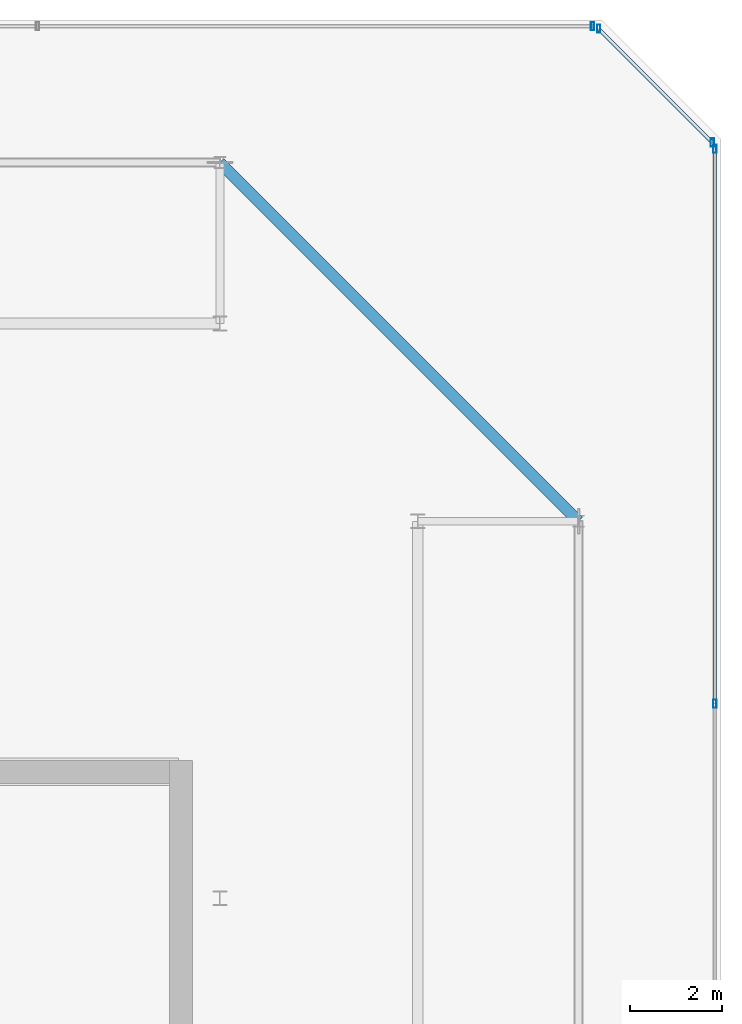
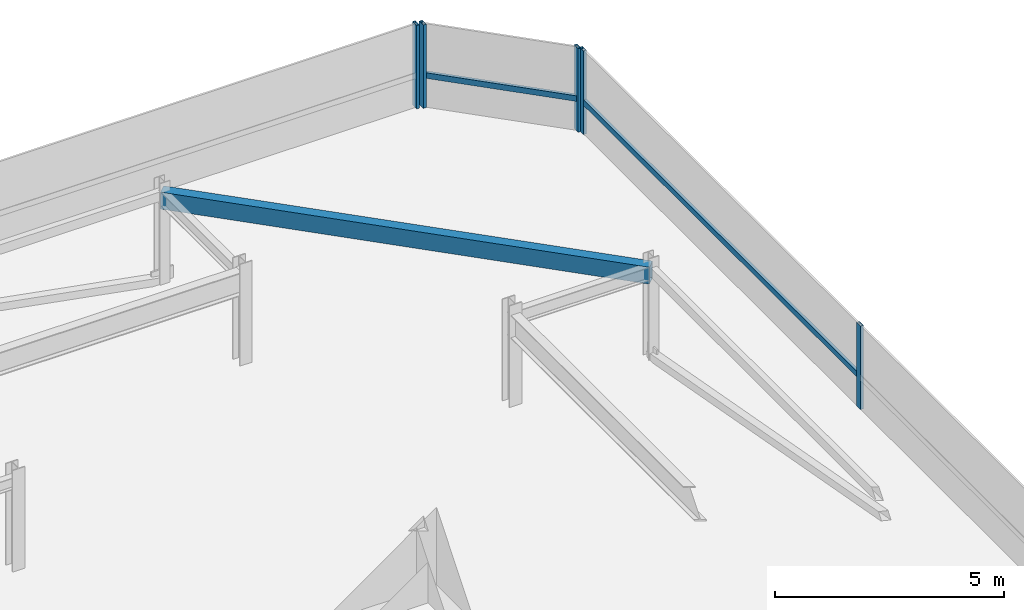
# One storey, part 38 of 44: 7 members, 1 beam, 3 elements without a shape of their own.
"""IFC4 building model written with IfcOpenShell, lengths in metres."""

from ifc_helpers import new_model, si_unit, direction, frame, origin, origin_2d, place, context, subcontext, project, spatial, hollow_rectangle, extrude, material, material_profile, profile_set, type_object, element, aggregate, save


model = new_model("IFC4")

# Units and contexts
model_context = context("Model", 3, precision=1e-05, world=origin(), true_north=direction((0.0, 1.0)))
body_context = subcontext(model_context, "Body", "Model", "MODEL_VIEW")
ifc_project = project(units=[si_unit("LENGTHUNIT", "METRE"), si_unit("AREAUNIT", "SQUARE_METRE"), si_unit("VOLUMEUNIT", "CUBIC_METRE"), si_unit("PLANEANGLEUNIT", "RADIAN"), si_unit("MASSUNIT", "GRAM", prefix="KILO")], contexts=[model_context])

# Site, building, storey
site_placement = place(None, origin())
site = spatial("IfcSite", under=ifc_project, at=site_placement, CompositionType="ELEMENT")
building_placement = place(site_placement, origin())
building = spatial("IfcBuilding", under=site, at=building_placement, Name="Thornwick Lancets Civic Towers", CompositionType="ELEMENT")
storey_placement = place(building_placement, frame((0.0, 0.0, 292.199951171875)))
storey = spatial("IfcBuildingStorey", under=building, at=storey_placement, Name="C05", CompositionType="ELEMENT", Elevation=292.199951171875)

# Beam
ifc_material_1 = material(Name="Steel S355JR", Category="steel")
ifc_material_profile_1 = material_profile(ifc_material_1, hollow_rectangle(XDim=0.25, YDim=0.449951171875, WallThickness=0.01611328125, at=origin_2d()), Name="RHS 450x250x16")
ifc_profile_set_1 = profile_set([ifc_material_profile_1], Name="Steel S355JR")
beam_type = type_object("IfcBeamType", Name="BM_RING_RHS450", PredefinedType="BEAM", material=ifc_profile_set_1)
beam_placement = place(storey_placement, frame((109.300048828125, 40.0, 2.215087890625), z_axis=(-0.707106781187, 0.707106781187, 0.0), x_axis=(-0.707106781187, -0.707106781187, 0.0)))
element("IfcBeam", 1, at=beam_placement, inside=storey, type_object=beam_type, Name="BM-CHAMF-C05-B-C0", PredefinedType="BEAM", context=body_context, shape_type="SweptSolid", body=[
    extrude(hollow_rectangle(XDim=0.25, YDim=0.449951171875, WallThickness=0.01611328125, at=origin_2d()), origin(), (0.0, 0.0, 1.0), 11.031005859375),
])

# Curtain wall, members
ifc_material_2 = material(Name="Crown ring acoustic-louvre and glazing screen wall", Category="glass")
curtain_wall_type = type_object("IfcCurtainWallType", Name="CW_SYS_07", PredefinedType="NOTDEFINED", material=ifc_material_2)
curtain_wall_1_placement = place(storey_placement, origin())
curtain_wall_1 = element("IfcCurtainWall", 2, at=curtain_wall_1_placement, inside=storey, type_object=curtain_wall_type, Name="C05 Curtain Wall CW-C05-B-E2", PredefinedType="NOTDEFINED")
ifc_material_3 = material(Name="Thermally broken bronze aluminium S355", Category="steel")
ifc_material_profile_2 = material_profile(ifc_material_3, hollow_rectangle(XDim=0.074951171875, YDim=0.179931640625, WallThickness=0.006103515625, at=origin_2d()), Name="RHS 180x75x6")
ifc_profile_set_2 = profile_set([ifc_material_profile_2], Name="Thermally broken bronze aluminium S355")
member_type_1 = type_object("IfcMemberType", Name="CW_MUL_180", PredefinedType="MULLION", material=ifc_profile_set_2)
member_1_placement = place(storey_placement, frame((112.2646484375, 36.03369140625, 0.0), z_axis=(0.0, 0.0, 1.0), x_axis=(1.0, 0.0, 0.0)))
member_1 = element("IfcMember", 3, at=member_1_placement, type_object=member_type_1, Name="CW-C05-B-E2 Mullion 2", PredefinedType="MULLION", context=body_context, shape_type="SweptSolid", body=[
    extrude(hollow_rectangle(XDim=0.074951171875, YDim=0.179931640625, WallThickness=0.006103515625, at=origin_2d()), origin(), (0.0, 0.0, 1.0), 2.219970703125),
])
member_2_placement = place(storey_placement, frame((112.2646484375, 48.101318359375, 0.0), z_axis=(0.0, 0.0, 1.0), x_axis=(1.0, 0.0, 0.0)))
member_2 = element("IfcMember", 4, at=member_2_placement, type_object=member_type_1, Name="CW-C05-B-E2 Mullion 3", PredefinedType="MULLION", context=body_context, shape_type="SweptSolid", body=[
    extrude(hollow_rectangle(XDim=0.074951171875, YDim=0.179931640625, WallThickness=0.006103515625, at=origin_2d()), origin(), (0.0, 0.0, 1.0), 2.219970703125),
])

curtain_wall_2_placement = place(storey_placement, origin())
curtain_wall_2 = element("IfcCurtainWall", 5, at=curtain_wall_2_placement, inside=storey, type_object=curtain_wall_type, Name="C05 Curtain Wall CW-C05-B-E3", PredefinedType="NOTDEFINED")
member_3_placement = place(storey_placement, frame((112.2080078125, 48.238037109375, 0.0), z_axis=(0.0, 0.0, 1.0), x_axis=(1.0, 0.0, 0.0)))
member_3 = element("IfcMember", 6, at=member_3_placement, type_object=member_type_1, Name="CW-C05-B-E3 Mullion 0", PredefinedType="MULLION", context=body_context, shape_type="SweptSolid", body=[
    extrude(hollow_rectangle(XDim=0.074951171875, YDim=0.179931640625, WallThickness=0.006103515625, at=origin_2d()), origin(), (0.0, 0.0, 1.0), 2.219970703125),
])
member_4_placement = place(storey_placement, frame((109.738037109375, 50.7080078125, 0.0), z_axis=(0.0, 0.0, 1.0), x_axis=(1.0, 0.0, 0.0)))
member_4 = element("IfcMember", 7, at=member_4_placement, type_object=member_type_1, Name="CW-C05-B-E3 Mullion 1", PredefinedType="MULLION", context=body_context, shape_type="SweptSolid", body=[
    extrude(hollow_rectangle(XDim=0.074951171875, YDim=0.179931640625, WallThickness=0.006103515625, at=origin_2d()), origin(), (0.0, 0.0, 1.0), 2.219970703125),
])

# Curtain wall, member
curtain_wall_3_placement = place(storey_placement, origin())
curtain_wall_3 = element("IfcCurtainWall", 8, at=curtain_wall_3_placement, inside=storey, type_object=curtain_wall_type, Name="C05 Curtain Wall CW-C05-B-E4", PredefinedType="NOTDEFINED")
member_5_placement = place(storey_placement, frame((109.601318359375, 50.7646484375, 0.0), z_axis=(0.0, 0.0, 1.0), x_axis=(1.0, 0.0, 0.0)))
member_5 = element("IfcMember", 9, at=member_5_placement, type_object=member_type_1, Name="CW-C05-B-E4 Mullion 0", PredefinedType="MULLION", context=body_context, shape_type="SweptSolid", body=[
    extrude(hollow_rectangle(XDim=0.074951171875, YDim=0.179931640625, WallThickness=0.006103515625, at=origin_2d()), origin(), (0.0, 0.0, 1.0), 2.219970703125),
])
aggregate(curtain_wall_3, [member_5])

# Member
ifc_material_profile_3 = material_profile(ifc_material_3, hollow_rectangle(XDim=0.074951171875, YDim=0.14990234375, WallThickness=0.0048828125, at=origin_2d()), Name="RHS 150x75x5")
ifc_profile_set_3 = profile_set([ifc_material_profile_3], Name="Thermally broken bronze aluminium S355")
member_type_2 = type_object("IfcMemberType", Name="CW_TRN_150", PredefinedType="USERDEFINED", material=ifc_profile_set_3)
member_6_placement = place(storey_placement, frame((112.2646484375, 36.0537109375, 0.85009765625), z_axis=(0.0, 1.0, 0.0), x_axis=(-1.0, 0.0, 0.0)))
member_6 = element("IfcMember", 10, at=member_6_placement, type_object=member_type_2, Name="CW-C05-B-E2 Transom 2", ObjectType="TRANSOM", PredefinedType="USERDEFINED", context=body_context, shape_type="SweptSolid", body=[
    extrude(hollow_rectangle(XDim=0.074951171875, YDim=0.14990234375, WallThickness=0.0048828125, at=origin_2d()), origin(), (0.0, 0.0, 1.0), 12.027587890625),
])

aggregate(curtain_wall_1, [member_1, member_2, member_6])

member_7_placement = place(storey_placement, frame((112.19384765625, 48.252197265625, 0.85009765625), z_axis=(-0.707106781187, 0.707106781187, 0.0), x_axis=(-0.707106781187, -0.707106781187, 0.0)))
member_7 = element("IfcMember", 11, at=member_7_placement, type_object=member_type_2, Name="CW-C05-B-E3 Transom 0", ObjectType="TRANSOM", PredefinedType="USERDEFINED", context=body_context, shape_type="SweptSolid", body=[
    extrude(hollow_rectangle(XDim=0.074951171875, YDim=0.14990234375, WallThickness=0.0048828125, at=origin_2d()), origin(), (0.0, 0.0, 1.0), 3.453125),
])

aggregate(curtain_wall_2, [member_3, member_4, member_7])

save(model, "model.ifc")
